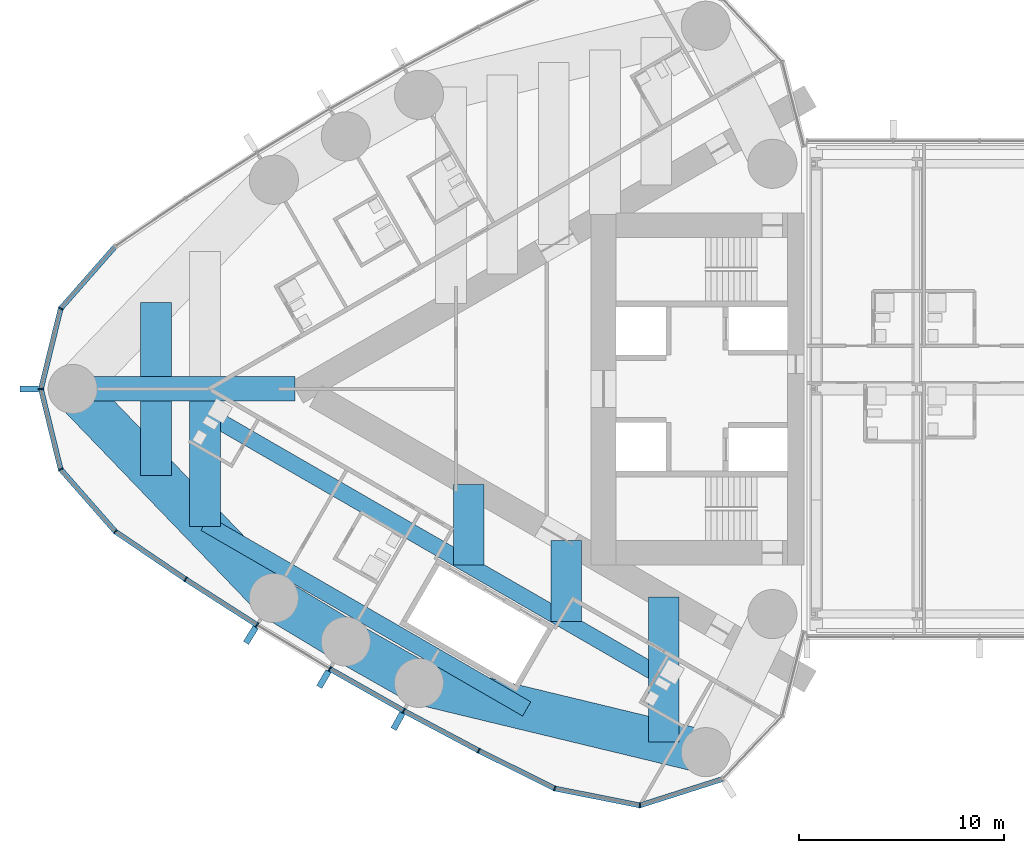
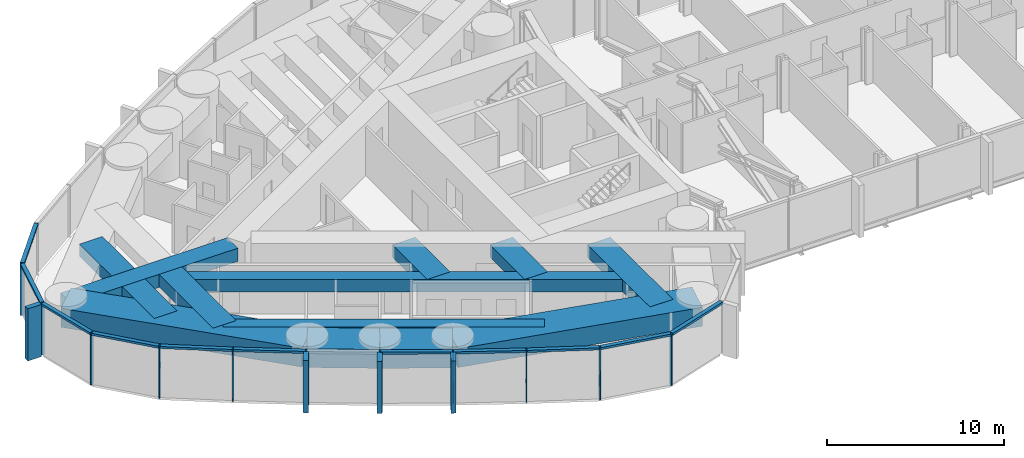
# One storey, part 2 of 23: 26 members, 13 beams, 1 element without a shape of its own.
"""IFC4 building model written with IfcOpenShell, lengths in metres."""

from ifc_helpers import new_model, si_unit, direction, frame, origin, origin_2d, place, context, subcontext, project, spatial, rectangle, hollow_rectangle, extrude, material, material_profile, profile_set, type_object, element, aggregate, save


model = new_model("IFC4")

# Units and contexts
model_context = context("Model", 3, precision=1e-05, world=origin(), true_north=direction((0.0, 1.0)))
body_context = subcontext(model_context, "Body", "Model", "MODEL_VIEW")
ifc_project = project(units=[si_unit("LENGTHUNIT", "METRE"), si_unit("AREAUNIT", "SQUARE_METRE"), si_unit("VOLUMEUNIT", "CUBIC_METRE"), si_unit("PLANEANGLEUNIT", "RADIAN"), si_unit("MASSUNIT", "GRAM", prefix="KILO")], contexts=[model_context])

# Site, building, storey
site_placement = place(None, origin())
site = spatial("IfcSite", under=ifc_project, at=site_placement, CompositionType="ELEMENT")
building_placement = place(site_placement, origin())
building = spatial("IfcBuilding", under=site, at=building_placement, Name="Lancet Gate Hotel", CompositionType="ELEMENT")
storey_placement = place(building_placement, frame((0.0, 0.0, 222.5)))
storey = spatial("IfcBuildingStorey", under=building, at=storey_placement, Name="L59", CompositionType="ELEMENT", Elevation=222.5)

# Curtain wall, members
ifc_material_1 = material(Name="Aluminium curtain wall", Category="aluminium")
curtain_wall_type = type_object("IfcCurtainWallType", Name="Tower unitised curtain wall", PredefinedType="USERDEFINED", material=ifc_material_1)
curtain_wall_placement = place(storey_placement, origin())
curtain_wall = element("IfcCurtainWall", 1, at=curtain_wall_placement, inside=storey, type_object=curtain_wall_type, Name="T1 L59 curtain wall 1", ObjectType="UNITISED CURTAIN WALL", PredefinedType="USERDEFINED")
ifc_material_2 = material(Name="Aluminium mullion", Category="aluminium")
ifc_material_profile_1 = material_profile(ifc_material_2, rectangle(XDim=0.06494140625, YDim=0.25, at=origin_2d()), Name="MULLION 65x250")
ifc_profile_set_1 = profile_set([ifc_material_profile_1], Name="Aluminium mullion")
member_type_1 = type_object("IfcMemberType", Name="Aluminium mullion 65x250", PredefinedType="MULLION", material=ifc_profile_set_1)
member_1_placement = place(storey_placement, frame((-63.822021484375, 3.928466796875, 0.0), z_axis=(0.0, 0.0, 1.0), x_axis=(-0.46217799743, -0.886787177789, 0.0)))
member_1 = element("IfcMember", 2, at=member_1_placement, type_object=member_type_1, Name="T1 L59 curtain wall 1 mullion 12", PredefinedType="MULLION", context=body_context, shape_type="SweptSolid", body=[
    extrude(rectangle(XDim=0.06494140625, YDim=0.25, at=origin_2d()), origin(), (0.0, 0.0, 1.0), 3.60009765625),
])
member_2_placement = place(storey_placement, frame((-64.7841796875, 0.0, 0.0), z_axis=(0.0, 0.0, 1.0), x_axis=(0.0, -1.0, 0.0)))
member_2 = element("IfcMember", 3, at=member_2_placement, type_object=member_type_1, Name="T1 L59 curtain wall 1 mullion 13", PredefinedType="MULLION", context=body_context, shape_type="SweptSolid", body=[
    extrude(rectangle(XDim=0.06494140625, YDim=0.25, at=origin_2d()), origin(), (0.0, 0.0, 1.0), 3.60009765625),
])
member_3_placement = place(storey_placement, frame((-63.822021484375, -3.928466796875, 0.0), z_axis=(0.0, 0.0, 1.0), x_axis=(0.46217799743, -0.886787177789, 0.0)))
member_3 = element("IfcMember", 4, at=member_3_placement, type_object=member_type_1, Name="T1 L59 curtain wall 1 mullion 14", PredefinedType="MULLION", context=body_context, shape_type="SweptSolid", body=[
    extrude(rectangle(XDim=0.06494140625, YDim=0.25, at=origin_2d()), origin(), (0.0, 0.0, 1.0), 3.60009765625),
])
member_4_placement = place(storey_placement, frame((-61.15283203125, -6.967529296875, 0.0), z_axis=(0.0, 0.0, 1.0), x_axis=(0.750715604757, -0.660625522345, 0.0)))
member_4 = element("IfcMember", 5, at=member_4_placement, type_object=member_type_1, Name="T1 L59 curtain wall 1 mullion 15", PredefinedType="MULLION", context=body_context, shape_type="SweptSolid", body=[
    extrude(rectangle(XDim=0.06494140625, YDim=0.25, at=origin_2d()), origin(), (0.0, 0.0, 1.0), 3.60009765625),
])
member_5_placement = place(storey_placement, frame((-57.72021484375, -9.298095703125, 0.0), z_axis=(0.0, 0.0, 1.0), x_axis=(0.834827178542, -0.550512108829, 0.0)))
member_5 = element("IfcMember", 6, at=member_5_placement, type_object=member_type_1, Name="T1 L59 curtain wall 1 mullion 16", PredefinedType="MULLION", context=body_context, shape_type="SweptSolid", body=[
    extrude(rectangle(XDim=0.06494140625, YDim=0.25, at=origin_2d()), origin(), (0.0, 0.0, 1.0), 3.60009765625),
])
member_6_placement = place(storey_placement, frame((-54.225830078125, -11.535400390625, 0.0), z_axis=(0.0, 0.0, 1.0), x_axis=(0.849342388216, -0.527842313176, 0.0)))
member_6 = element("IfcMember", 7, at=member_6_placement, type_object=member_type_1, Name="T1 L59 curtain wall 1 mullion 17", PredefinedType="MULLION", context=body_context, shape_type="SweptSolid", body=[
    extrude(rectangle(XDim=0.06494140625, YDim=0.25, at=origin_2d()), origin(), (0.0, 0.0, 1.0), 3.60009765625),
])
member_7_placement = place(storey_placement, frame((-50.67236328125, -13.677978515625, 0.0), z_axis=(0.0, 0.0, 1.0), x_axis=(0.863242155108, -0.504790037189, 0.0)))
member_7 = element("IfcMember", 8, at=member_7_placement, type_object=member_type_1, Name="T1 L59 curtain wall 1 mullion 18", PredefinedType="MULLION", context=body_context, shape_type="SweptSolid", body=[
    extrude(rectangle(XDim=0.06494140625, YDim=0.25, at=origin_2d()), origin(), (0.0, 0.0, 1.0), 3.60009765625),
])
member_8_placement = place(storey_placement, frame((-47.062744140625, -15.72412109375, 0.0), z_axis=(0.0, 0.0, 1.0), x_axis=(0.876516407283, -0.481371984815, 0.0)))
member_8 = element("IfcMember", 9, at=member_8_placement, type_object=member_type_1, Name="T1 L59 curtain wall 1 mullion 19", PredefinedType="MULLION", context=body_context, shape_type="SweptSolid", body=[
    extrude(rectangle(XDim=0.06494140625, YDim=0.25, at=origin_2d()), origin(), (0.0, 0.0, 1.0), 3.60009765625),
])
member_9_placement = place(storey_placement, frame((-43.3994140625, -17.67236328125, 0.0), z_axis=(0.0, 0.0, 1.0), x_axis=(0.889155526065, -0.457605125046, 0.0)))
member_9 = element("IfcMember", 10, at=member_9_placement, type_object=member_type_1, Name="T1 L59 curtain wall 1 mullion 20", PredefinedType="MULLION", context=body_context, shape_type="SweptSolid", body=[
    extrude(rectangle(XDim=0.06494140625, YDim=0.25, at=origin_2d()), origin(), (0.0, 0.0, 1.0), 3.60009765625),
])
member_10_placement = place(storey_placement, frame((-39.684814453125, -19.521240234375, 0.0), z_axis=(0.0, 0.0, 1.0), x_axis=(0.946887706423, -0.321564412561, 0.0)))
member_10 = element("IfcMember", 11, at=member_10_placement, type_object=member_type_1, Name="T1 L59 curtain wall 1 mullion 21", PredefinedType="MULLION", context=body_context, shape_type="SweptSolid", body=[
    extrude(rectangle(XDim=0.06494140625, YDim=0.25, at=origin_2d()), origin(), (0.0, 0.0, 1.0), 3.60009765625),
])
member_11_placement = place(storey_placement, frame((-35.520751953125, -20.347900390625, 0.0), z_axis=(0.0, 0.0, 1.0), x_axis=(0.998409168318, 0.056383797491, 0.0)))
member_11 = element("IfcMember", 12, at=member_11_placement, type_object=member_type_1, Name="T1 L59 curtain wall 1 mullion 22", PredefinedType="MULLION", context=body_context, shape_type="SweptSolid", body=[
    extrude(rectangle(XDim=0.06494140625, YDim=0.25, at=origin_2d()), origin(), (0.0, 0.0, 1.0), 3.60009765625),
])
ifc_material_3 = material(Name="Aluminium transom", Category="aluminium")
ifc_material_profile_2 = material_profile(ifc_material_3, rectangle(XDim=0.25, YDim=0.14990234375, at=origin_2d()), Name="TRANSOM 250x150")
ifc_profile_set_2 = profile_set([ifc_material_profile_2], Name="Aluminium transom")
member_type_2 = type_object("IfcMemberType", Name="Aluminium transom 250x150", PredefinedType="USERDEFINED", material=ifc_profile_set_2)
member_12_placement = place(storey_placement, frame((-61.17431640625, 6.943115234375, 3.52490234375), z_axis=(-0.659893258593, -0.751359359603, 0.0), x_axis=(0.751359359603, -0.659893258593, 0.0)))
member_12 = element("IfcMember", 13, at=member_12_placement, type_object=member_type_2, Name="T1 L59 curtain wall 1 transom 11", ObjectType="TRANSOM", PredefinedType="USERDEFINED", context=body_context, shape_type="SweptSolid", body=[
    extrude(rectangle(XDim=0.25, YDim=0.14990234375, at=origin_2d()), origin(), (0.0, 0.0, 1.0), 3.979736328125),
])
member_13_placement = place(storey_placement, frame((-63.829833984375, 3.89697265625, 3.52490234375), z_axis=(-0.237899438372, -0.971289790548, 0.0), x_axis=(0.971289790548, -0.237899438372, 0.0)))
member_13 = element("IfcMember", 14, at=member_13_placement, type_object=member_type_2, Name="T1 L59 curtain wall 1 transom 12", ObjectType="TRANSOM", PredefinedType="USERDEFINED", context=body_context, shape_type="SweptSolid", body=[
    extrude(rectangle(XDim=0.25, YDim=0.14990234375, at=origin_2d()), origin(), (0.0, 0.0, 1.0), 3.979736328125),
])
member_14_placement = place(storey_placement, frame((-64.776611328125, -0.031494140625, 3.52490234375), z_axis=(0.237899438372, -0.971289790548, 0.0), x_axis=(0.971289790548, 0.237899438372, 0.0)))
member_14 = element("IfcMember", 15, at=member_14_placement, type_object=member_type_2, Name="T1 L59 curtain wall 1 transom 13", ObjectType="TRANSOM", PredefinedType="USERDEFINED", context=body_context, shape_type="SweptSolid", body=[
    extrude(rectangle(XDim=0.25, YDim=0.14990234375, at=origin_2d()), origin(), (0.0, 0.0, 1.0), 3.979736328125),
])
member_15_placement = place(storey_placement, frame((-63.800537109375, -3.952880859375, 3.52490234375), z_axis=(0.659893258593, -0.751359359603, 0.0), x_axis=(0.751359359603, 0.659893258593, 0.0)))
member_15 = element("IfcMember", 16, at=member_15_placement, type_object=member_type_2, Name="T1 L59 curtain wall 1 transom 14", ObjectType="TRANSOM", PredefinedType="USERDEFINED", context=body_context, shape_type="SweptSolid", body=[
    extrude(rectangle(XDim=0.25, YDim=0.14990234375, at=origin_2d()), origin(), (0.0, 0.0, 1.0), 3.979736328125),
])
member_16_placement = place(storey_placement, frame((-61.1259765625, -6.98583984375, 3.52490234375), z_axis=(0.827348780456, -0.561688521761, 0.0), x_axis=(0.561688521761, 0.827348780456, 0.0)))
member_16 = element("IfcMember", 17, at=member_16_placement, type_object=member_type_2, Name="T1 L59 curtain wall 1 transom 15", ObjectType="TRANSOM", PredefinedType="USERDEFINED", context=body_context, shape_type="SweptSolid", body=[
    extrude(rectangle(XDim=0.25, YDim=0.14990234375, at=origin_2d()), origin(), (0.0, 0.0, 1.0), 4.083984375),
])
member_17_placement = place(storey_placement, frame((-57.692626953125, -9.315673828125, 3.52490234375), z_axis=(0.842144358733, -0.539252147937, 0.0), x_axis=(0.539252147937, 0.842144358733, 0.0)))
member_17 = element("IfcMember", 18, at=member_17_placement, type_object=member_type_2, Name="T1 L59 curtain wall 1 transom 16", ObjectType="TRANSOM", PredefinedType="USERDEFINED", context=body_context, shape_type="SweptSolid", body=[
    extrude(rectangle(XDim=0.25, YDim=0.14990234375, at=origin_2d()), origin(), (0.0, 0.0, 1.0), 4.084228515625),
])
member_18_placement = place(storey_placement, frame((-50.644287109375, -13.694091796875, 3.52490234375), z_axis=(0.869977740049, -0.493090997503, 0.0), x_axis=(0.493090997503, 0.869977740049, 0.0)))
member_18 = element("IfcMember", 19, at=member_18_placement, type_object=member_type_2, Name="T1 L59 curtain wall 1 transom 18", ObjectType="TRANSOM", PredefinedType="USERDEFINED", context=body_context, shape_type="SweptSolid", body=[
    extrude(rectangle(XDim=0.25, YDim=0.14990234375, at=origin_2d()), origin(), (0.0, 0.0, 1.0), 4.084228515625),
])
member_19_placement = place(storey_placement, frame((-47.0341796875, -15.739501953125, 3.52490234375), z_axis=(0.882944619844, -0.469477154171, 0.0), x_axis=(0.469477154171, 0.882944619844, 0.0)))
member_19 = element("IfcMember", 20, at=member_19_placement, type_object=member_type_2, Name="T1 L59 curtain wall 1 transom 19", ObjectType="TRANSOM", PredefinedType="USERDEFINED", context=body_context, shape_type="SweptSolid", body=[
    extrude(rectangle(XDim=0.25, YDim=0.14990234375, at=origin_2d()), origin(), (0.0, 0.0, 1.0), 4.084228515625),
])
member_20_placement = place(storey_placement, frame((-43.370361328125, -17.686767578125, 3.52490234375), z_axis=(0.895226720479, -0.445610950202, 0.0), x_axis=(0.445610950202, 0.895226720479, 0.0)))
member_20 = element("IfcMember", 21, at=member_20_placement, type_object=member_type_2, Name="T1 L59 curtain wall 1 transom 20", ObjectType="TRANSOM", PredefinedType="USERDEFINED", context=body_context, shape_type="SweptSolid", body=[
    extrude(rectangle(XDim=0.25, YDim=0.14990234375, at=origin_2d()), origin(), (0.0, 0.0, 1.0), 4.08447265625),
])
member_21_placement = place(storey_placement, frame((-39.65283203125, -19.527587890625, 3.52490234375), z_axis=(0.980858234867, -0.194723196085, 0.0), x_axis=(0.194723196085, 0.980858234867, 0.0)))
member_21 = element("IfcMember", 22, at=member_21_placement, type_object=member_type_2, Name="T1 L59 curtain wall 1 transom 21", ObjectType="TRANSOM", PredefinedType="USERDEFINED", context=body_context, shape_type="SweptSolid", body=[
    extrude(rectangle(XDim=0.25, YDim=0.14990234375, at=origin_2d()), origin(), (0.0, 0.0, 1.0), 4.18017578125),
])
member_22_placement = place(storey_placement, frame((-35.48974609375, -20.338134765625, 3.52490234375), z_axis=(0.952697713775, 0.303919506068, 0.0), x_axis=(-0.303919506068, 0.952697713775, 0.0)))
member_22 = element("IfcMember", 23, at=member_22_placement, type_object=member_type_2, Name="T1 L59 curtain wall 1 transom 22", ObjectType="TRANSOM", PredefinedType="USERDEFINED", context=body_context, shape_type="SweptSolid", body=[
    extrude(rectangle(XDim=0.25, YDim=0.14990234375, at=origin_2d()), origin(), (0.0, 0.0, 1.0), 4.180419921875),
])

# Beams
ifc_material_4 = material(Name="Concrete C50/60", Category="concrete")
ifc_material_profile_3 = material_profile(ifc_material_4, rectangle(XDim=2.10009765625, YDim=1.300048828125, at=origin_2d()), Name="RC 2100x1300")
ifc_profile_set_3 = profile_set([ifc_material_profile_3], Name="Concrete C50/60")
beam_type_1 = type_object("IfcBeamType", Name="Edge beam RC 2100x1300", PredefinedType="SPANDREL", material=ifc_profile_set_3)
beam_1_placement = place(storey_placement, frame((-63.234375, 0.0, 2.699951171875), z_axis=(0.693134527053, -0.720808245934, 0.0), x_axis=(0.720808245934, 0.693134527053, 0.0)))
element("IfcBeam", 24, at=beam_1_placement, inside=storey, type_object=beam_type_1, Name="T1 edge beam EB1 L59", PredefinedType="SPANDREL", context=body_context, shape_type="SweptSolid", body=[
    extrude(rectangle(XDim=2.10009765625, YDim=1.300048828125, at=origin_2d()), origin(), (0.0, 0.0, 1.0), 14.17724609375),
])
for number, where, z_axis, x_axis, name in (
    (25, (-53.40771484375, -10.218994140625, 2.699951171875), (0.856358061538, -0.516382484636, 0.0), (0.516382484636, 0.856358061538, 0.0), "T1 edge beam EB1 L59"),
    (26, (-49.89013671875, -12.340087890625, 2.699951171875), (0.869978841992, -0.493089053301, 0.0), (0.493089053301, 0.869978841992, 0.0), "T1 edge beam EB1 L59"),
):
    element("IfcBeam", number, at=place(storey_placement, frame(where, z_axis=z_axis, x_axis=x_axis)), inside=storey, type_object=beam_type_1, Name=name, PredefinedType="SPANDREL", context=body_context, shape_type="SweptSolid", body=[
        extrude(rectangle(XDim=2.10009765625, YDim=1.300048828125, at=origin_2d()), origin(), (0.0, 0.0, 1.0), 4.107666015625),
    ])
beam_2_placement = place(storey_placement, frame((-46.316650390625, -14.365478515625, 2.699951171875), z_axis=(0.972132796948, -0.234430853556, 0.0), x_axis=(0.234430853556, 0.972132796948, 0.0)))
element("IfcBeam", 27, at=beam_2_placement, inside=storey, type_object=beam_type_1, Name="T1 edge beam EB1 L59", PredefinedType="SPANDREL", context=body_context, shape_type="SweptSolid", body=[
    extrude(rectangle(XDim=2.10009765625, YDim=1.300048828125, at=origin_2d()), origin(), (0.0, 0.0, 1.0), 14.41748046875),
])

# Member
ifc_material_5 = material(Name="Precast concrete C50/60", Category="concrete")
ifc_material_profile_4 = material_profile(ifc_material_5, rectangle(XDim=0.300048828125, YDim=0.89990234375, at=origin_2d()), Name="FIN 300x900")
ifc_profile_set_4 = profile_set([ifc_material_profile_4], Name="Precast concrete C50/60")
member_type_3 = type_object("IfcMemberType", Name="Exposed concrete fin 300x900", PredefinedType="USERDEFINED", material=ifc_profile_set_4)
member_23_placement = place(storey_placement, frame((-65.359375, 0.0, 0.0), z_axis=(0.0, 0.0, 1.0), x_axis=(0.0, -1.0, 0.0)))
member_23 = element("IfcMember", 28, at=member_23_placement, type_object=member_type_3, Name="T1 L59 curtain wall 1 fin 13", ObjectType="FIN", PredefinedType="USERDEFINED", context=body_context, shape_type="SweptSolid", body=[
    extrude(rectangle(XDim=0.300048828125, YDim=0.89990234375, at=origin_2d()), origin(), (0.0, 0.0, 1.0), 3.60009765625),
])

member_24_placement = place(storey_placement, frame((-54.529296875, -12.02392578125, 0.0), z_axis=(0.0, 0.0, 1.0), x_axis=(0.849342388216, -0.527842313176, 0.0)))
member_24 = element("IfcMember", 29, at=member_24_placement, type_object=member_type_3, Name="T1 L59 curtain wall 1 fin 17", ObjectType="FIN", PredefinedType="USERDEFINED", context=body_context, shape_type="SweptSolid", body=[
    extrude(rectangle(XDim=0.300048828125, YDim=0.89990234375, at=origin_2d()), origin(), (0.0, 0.0, 1.0), 3.60009765625),
])

member_25_placement = place(storey_placement, frame((-50.962646484375, -14.17431640625, 0.0), z_axis=(0.0, 0.0, 1.0), x_axis=(0.863242155108, -0.504790037189, 0.0)))
member_25 = element("IfcMember", 30, at=member_25_placement, type_object=member_type_3, Name="T1 L59 curtain wall 1 fin 18", ObjectType="FIN", PredefinedType="USERDEFINED", context=body_context, shape_type="SweptSolid", body=[
    extrude(rectangle(XDim=0.300048828125, YDim=0.89990234375, at=origin_2d()), origin(), (0.0, 0.0, 1.0), 3.60009765625),
])

member_26_placement = place(storey_placement, frame((-47.339599609375, -16.22802734375, 0.0), z_axis=(0.0, 0.0, 1.0), x_axis=(0.876516407283, -0.481371984815, 0.0)))
member_26 = element("IfcMember", 31, at=member_26_placement, type_object=member_type_3, Name="T1 L59 curtain wall 1 fin 19", ObjectType="FIN", PredefinedType="USERDEFINED", context=body_context, shape_type="SweptSolid", body=[
    extrude(rectangle(XDim=0.300048828125, YDim=0.89990234375, at=origin_2d()), origin(), (0.0, 0.0, 1.0), 3.60009765625),
])

aggregate(curtain_wall, [member_1, member_2, member_23, member_3, member_4, member_5, member_6, member_24, member_7, member_25, member_8, member_26, member_9, member_10, member_11, member_12, member_13, member_14, member_15, member_16, member_17, member_18, member_19, member_20, member_21, member_22])

# Beams
ifc_material_6 = material(Name="Concrete C50/60", Category="concrete")
ifc_material_profile_5 = material_profile(ifc_material_6, rectangle(XDim=1.5, YDim=0.85009765625, at=origin_2d()), Name="RC 1500x850")
ifc_profile_set_5 = profile_set([ifc_material_profile_5], Name="Concrete C50/60")
beam_type_2 = type_object("IfcBeamType", Name="Floor beam RC 1500x850", PredefinedType="BEAM", material=ifc_profile_set_5)
beam_3_placement = place(storey_placement, frame((-34.353515625, -10.169921875, 2.925048828125), z_axis=(0.0, -1.0, 0.0), x_axis=(1.0, 0.0, 0.0)))
element("IfcBeam", 32, at=beam_3_placement, inside=storey, type_object=beam_type_2, Name="T1 floor beam F01N L59", PredefinedType="BEAM", context=body_context, shape_type="SweptSolid", body=[
    extrude(rectangle(XDim=1.5, YDim=0.85009765625, at=origin_2d()), origin(), (0.0, 0.0, 1.0), 7.08056640625),
])
beam_4_placement = place(storey_placement, frame((-56.768310546875, -0.60009765625, 2.925048828125), z_axis=(0.0, -1.0, 0.0), x_axis=(1.0, 0.0, 0.0)))
element("IfcBeam", 33, at=beam_4_placement, inside=storey, type_object=beam_type_2, Name="T1 floor beam F10N L59", PredefinedType="BEAM", context=body_context, shape_type="SweptSolid", body=[
    extrude(rectangle(XDim=1.5, YDim=0.85009765625, at=origin_2d()), origin(), (0.0, 0.0, 1.0), 6.1240234375),
])
for number, where, z_axis, x_axis, name in (
    (34, (-59.168212890625, 4.228271484375, 2.925048828125), (0.0, -1.0, 0.0), (1.0, 0.0, 0.0), "T1 floor beam F11S L59"),
    (35, (-59.168212890625, -0.60009765625, 2.925048828125), (0.0, -1.0, 0.0), (1.0, 0.0, 0.0), "T1 floor beam F12N L59"),
):
    element("IfcBeam", number, at=place(storey_placement, frame(where, z_axis=z_axis, x_axis=x_axis)), inside=storey, type_object=beam_type_2, Name=name, PredefinedType="BEAM", context=body_context, shape_type="SweptSolid", body=[
        extrude(rectangle(XDim=1.5, YDim=0.85009765625, at=origin_2d()), origin(), (0.0, 0.0, 1.0), 3.628173828125),
    ])
for number, where, z_axis, x_axis, name in (
    (36, (-39.122314453125, -7.41650390625, 2.925048828125), (0.0, -1.0, 0.0), (1.0, 0.0, 0.0), "T1 floor beam F04NA L59"),
    (37, (-43.891357421875, -4.663330078125, 2.925048828125), (0.0, -1.0, 0.0), (1.0, 0.0, 0.0), "T1 floor beam F07NA L59"),
):
    element("IfcBeam", number, at=place(storey_placement, frame(where, z_axis=z_axis, x_axis=x_axis)), inside=storey, type_object=beam_type_2, Name=name, PredefinedType="BEAM", context=body_context, shape_type="SweptSolid", body=[
        extrude(rectangle(XDim=1.5, YDim=0.85009765625, at=origin_2d()), origin(), (0.0, 0.0, 1.0), 3.945556640625),
    ])
ifc_material_7 = material(Name="Concrete C50/60", Category="concrete")
ifc_material_profile_6 = material_profile(ifc_material_7, rectangle(XDim=1.199951171875, YDim=0.89990234375, at=origin_2d()), Name="RC 1200x900")
ifc_profile_set_6 = profile_set([ifc_material_profile_6], Name="Concrete C50/60")
beam_type_3 = type_object("IfcBeamType", Name="Radial floor beam RC 1200x900", PredefinedType="BEAM", material=ifc_profile_set_6)
beam_5_placement = place(storey_placement, frame((-63.234375, 0.0, 2.89990234375), z_axis=(1.0, 0.0, 0.0), x_axis=(0.0, 1.0, 0.0)))
element("IfcBeam", 38, at=beam_5_placement, inside=storey, type_object=beam_type_3, Name="T1 radial beam CA L59", PredefinedType="BEAM", context=body_context, shape_type="SweptSolid", body=[
    extrude(rectangle(XDim=1.199951171875, YDim=0.89990234375, at=origin_2d()), origin(), (0.0, 0.0, 1.0), 10.8662109375),
])
ifc_material_8 = material(Name="Steel S460QL", Category="steel")
ifc_material_profile_7 = material_profile(ifc_material_8, hollow_rectangle(XDim=0.800048828125, YDim=0.85009765625, WallThickness=0.080078125, at=origin_2d()), Name="BOX 850x800x80")
ifc_profile_set_7 = profile_set([ifc_material_profile_7], Name="Steel S460QL")
beam_type_4 = type_object("IfcBeamType", Name="Trimmer beam BOX 850x800x80", PredefinedType="BEAM", material=ifc_profile_set_7)
beam_6_placement = place(storey_placement, frame((-34.353515625, -14.115234375, 2.925048828125), z_axis=(-0.866038088301, 0.499978029129, 0.0), x_axis=(-0.499978029129, -0.866038088301, 0.0)))
element("IfcBeam", 39, at=beam_6_placement, inside=storey, type_object=beam_type_4, Name="T1 trimmer beam TR01N L59", PredefinedType="BEAM", context=body_context, shape_type="SweptSolid", body=[
    extrude(hollow_rectangle(XDim=0.800048828125, YDim=0.85009765625, WallThickness=0.080078125, at=origin_2d()), origin(), (0.0, 0.0, 1.0), 25.882080078125),
])
beam_7_placement = place(storey_placement, frame((-41.05322265625, -15.634765625, 2.925048828125), z_axis=(-0.866039732055, 0.499975181887, 0.0), x_axis=(-0.499975181887, -0.866039732055, 0.0)))
element("IfcBeam", 40, at=beam_7_placement, inside=storey, type_object=beam_type_4, Name="T1 trimmer beam TR02N L59", PredefinedType="BEAM", context=body_context, shape_type="SweptSolid", body=[
    extrude(hollow_rectangle(XDim=0.800048828125, YDim=0.85009765625, WallThickness=0.080078125, at=origin_2d()), origin(), (0.0, 0.0, 1.0), 18.14599609375),
])

save(model, "model.ifc")
